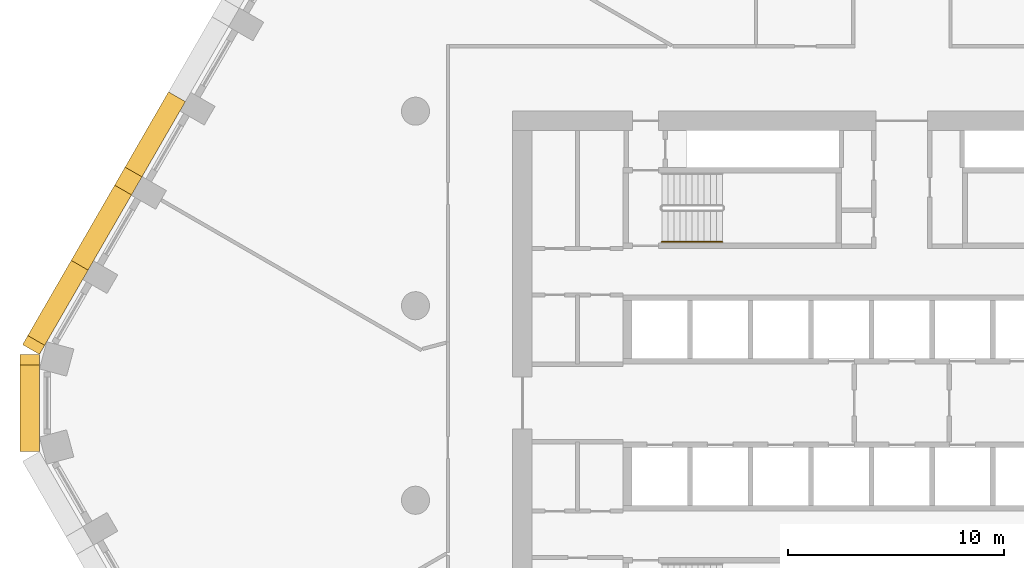
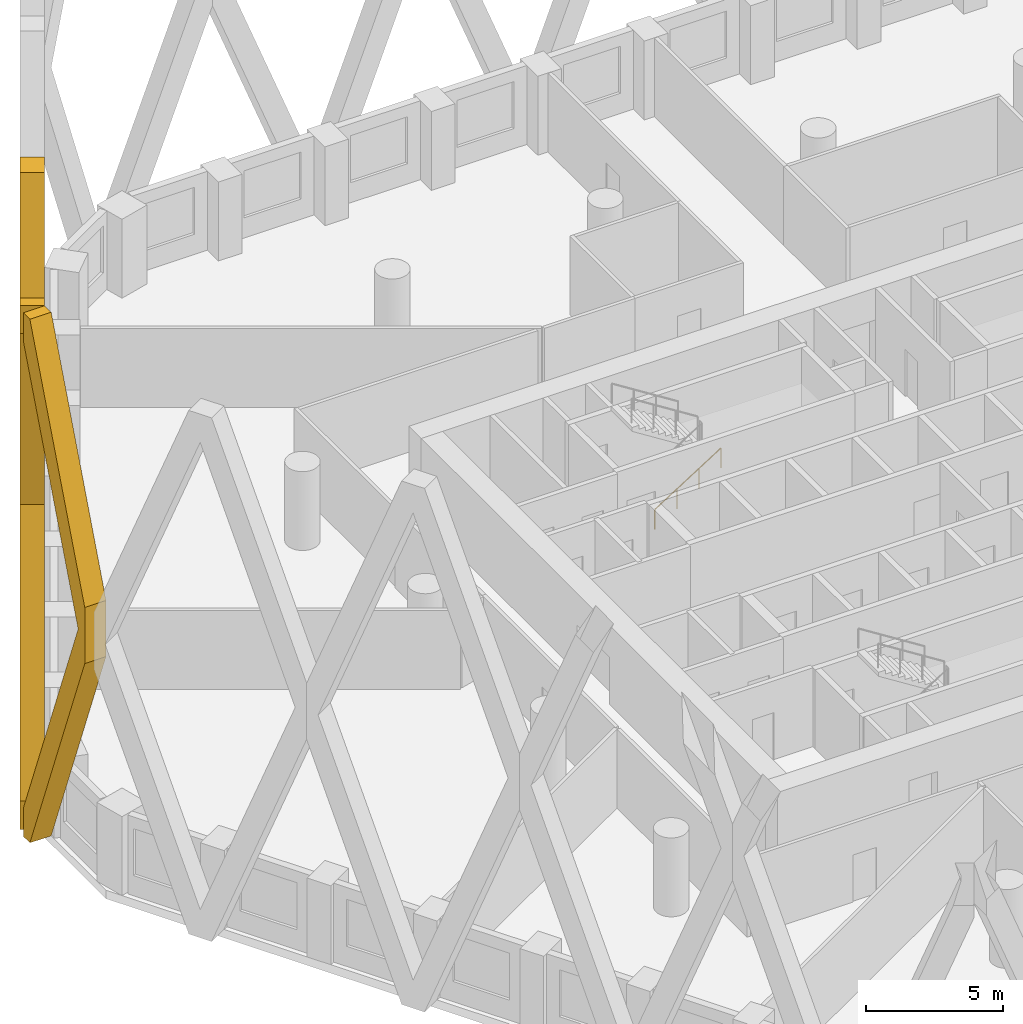
# One storey, part 14 of 18: 3 coverings, 1 railing.
"""IFC4 building model written with IfcOpenShell, lengths in metres."""

from ifc_helpers import new_model, si_unit, direction, frame, origin, origin_2d, place, context, subcontext, project, spatial, polyline, circle, outline, extrude, material, type_object, element, save


model = new_model("IFC4")

# Units and contexts
model_context = context("Model", 3, precision=1e-05, world=origin(), true_north=direction((0.0, 1.0)))
body_context = subcontext(model_context, "Body", "Model", "MODEL_VIEW")
ifc_project = project(units=[si_unit("LENGTHUNIT", "METRE"), si_unit("AREAUNIT", "SQUARE_METRE"), si_unit("VOLUMEUNIT", "CUBIC_METRE"), si_unit("PLANEANGLEUNIT", "RADIAN"), si_unit("MASSUNIT", "GRAM", prefix="KILO")], contexts=[model_context])

# Site, building, storey
site_placement = place(None, origin())
site = spatial("IfcSite", under=ifc_project, at=site_placement, CompositionType="ELEMENT")
building_placement = place(site_placement, origin())
building = spatial("IfcBuilding", under=site, at=building_placement, Name="Dhurran Vertical Campus", CompositionType="ELEMENT")
storey_placement = place(building_placement, frame((0.0, 0.0, 81.300048828125)))
storey = spatial("IfcBuildingStorey", under=building, at=storey_placement, Name="L19", CompositionType="ELEMENT", Elevation=81.300048828125)

# Coverings
ifc_material_1 = material(Name="Precast concrete C50/60", Category="concrete")
covering_type = type_object("IfcCoveringType", Name="Folded precast fin lattice diamond", PredefinedType="USERDEFINED", material=ifc_material_1)
covering_1_placement = place(storey_placement, frame((-33.147216796875, 13.94140625, 0.0), z_axis=(-0.866013897511, 0.50001992892, 0.0), x_axis=(-0.50001992892, -0.866013897511, 0.0)))
element("IfcCovering", 1, at=covering_1_placement, inside=storey, type_object=covering_type, Name="FN1 L19.025", ObjectType="FIN", PredefinedType="USERDEFINED", context=body_context, shape_type="SweptSolid", body=[
    extrude(outline(polyline([(9.0, 12.95361328125), (9.0, 10.4462890625), (4.982177734375, 0.0), (4.017822265625, 0.0), (0.0, 10.4462890625), (0.0, 12.95361328125), (4.017822265625, 23.39990234375), (4.982177734375, 23.39990234375), (9.0, 12.95361328125)]), holes=[polyline([(8.517822265625, 11.699951171875), (4.5, 22.146484375), (0.482177734375, 11.699951171875), (4.5, 1.253662109375), (8.517822265625, 11.699951171875)])]), origin(), (0.0, 0.0, 1.0), 0.89990234375),
])
covering_2_placement = place(storey_placement, frame((-37.647216796875, 6.147216796875, 0.0), z_axis=(-0.866013897511, 0.50001992892, 0.0), x_axis=(-0.50001992892, -0.866013897511, 0.0)))
element("IfcCovering", 2, at=covering_2_placement, inside=storey, type_object=covering_type, Name="FN1 L19.026", ObjectType="FIN", PredefinedType="USERDEFINED", context=body_context, shape_type="SweptSolid", body=[
    extrude(outline(polyline([(4.017822265625, 0.0), (0.0, 10.4462890625), (0.0, 12.95361328125), (4.017822265625, 23.39990234375), (4.5, 23.39990234375), (4.5, 22.146484375), (0.482177734375, 11.699951171875), (4.5, 1.253662109375), (4.5, 0.0), (4.017822265625, 0.0)])), origin(), (0.0, 0.0, 1.0), 0.89990234375),
])
covering_3_placement = place(storey_placement, frame((-39.897216796875, 2.25, 0.0), z_axis=(-1.0, 0.0, 0.0), x_axis=(0.0, -1.0, 0.0)))
element("IfcCovering", 3, at=covering_3_placement, inside=storey, type_object=covering_type, Name="FN1 L19.027", ObjectType="FIN", PredefinedType="USERDEFINED", context=body_context, shape_type="SweptSolid", body=[
    extrude(outline(polyline([(4.5, 10.4462890625), (0.482177734375, 0.0), (0.0, 0.0), (0.0, 1.253662109375), (4.017822265625, 11.699951171875), (0.0, 22.146484375), (0.0, 23.39990234375), (0.482177734375, 23.39990234375), (4.5, 12.95361328125), (4.5, 10.4462890625)])), origin(), (0.0, 0.0, 1.0), 0.89990234375),
])

# Railing
ifc_material_2 = material(Name="Stainless steel handrail", Category="steel")
railing_type = type_object("IfcRailingType", Name="co-RL-HANDRAIL-900", PredefinedType="HANDRAIL", material=ifc_material_2)
railing_placement = place(storey_placement, frame((-11.10009765625, 7.449951171875, 0.17724609375)))
element("IfcRailing", 4, at=railing_placement, inside=storey, type_object=railing_type, Name="L19 ST1 stair handrail 1", PredefinedType="HANDRAIL", context=body_context, shape_type="SweptSolid", body=[
    extrude(circle(Radius=0.02392578125, at=origin_2d()), frame((0.0, 0.0, 0.8759765625), z_axis=(0.844908973607, 0.0, 0.534910110503), x_axis=(0.0, 1.0, 0.0)), (0.0, 0.0, 1.0), 3.31396484375),
    extrude(circle(Radius=0.02099609375, at=origin_2d()), origin(), (0.0, 0.0, 1.0), 0.851806640625),
    extrude(circle(Radius=0.02099609375, at=origin_2d()), frame((0.933349609375, 0.0, 0.5908203125)), (0.0, 0.0, 1.0), 0.851806640625),
    extrude(circle(Radius=0.02099609375, at=origin_2d()), frame((1.86669921875, 0.0, 1.181884765625)), (0.0, 0.0, 1.0), 0.851806640625),
    extrude(circle(Radius=0.02099609375, at=origin_2d()), frame((2.800048828125, 0.0, 1.772705078125)), (0.0, 0.0, 1.0), 0.851806640625),
])

save(model, "model.ifc")
